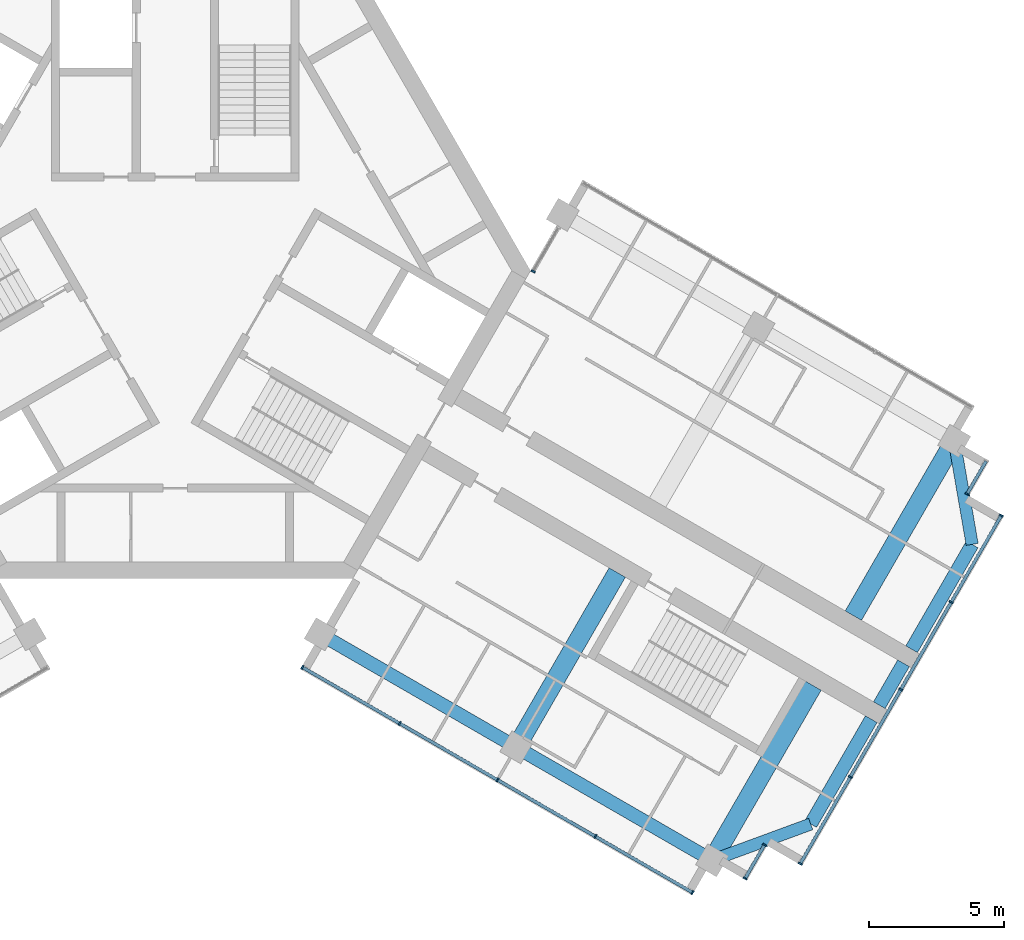
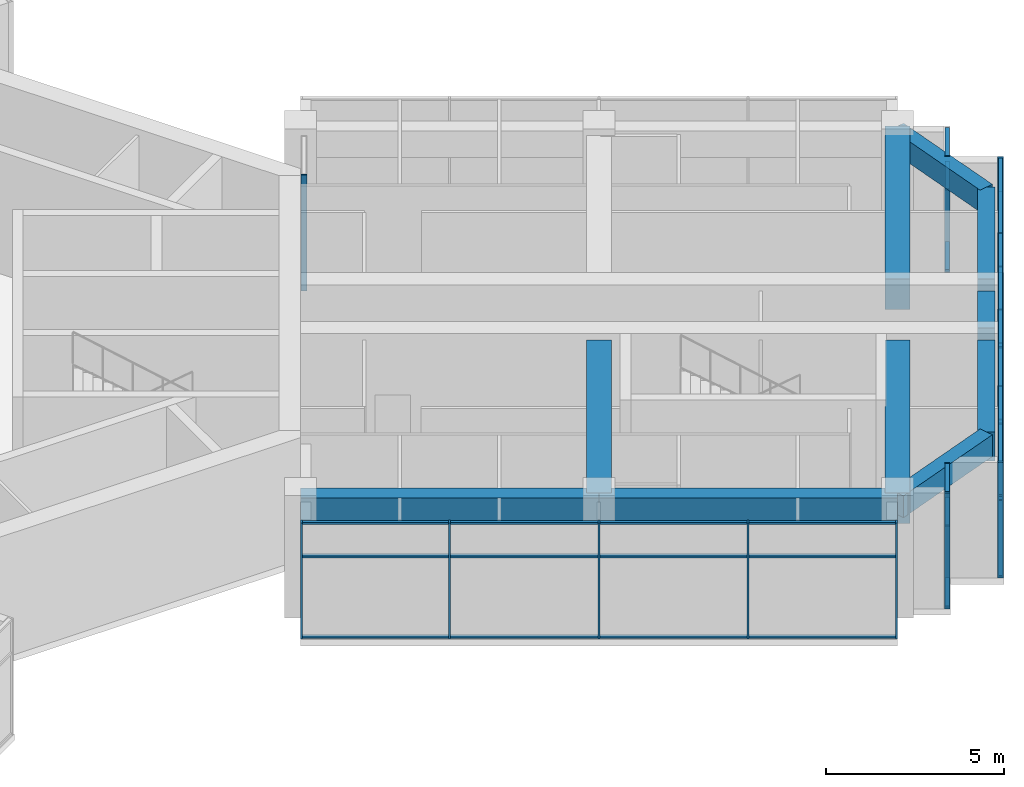
# One storey, part 4 of 14: 44 members, 10 beams, 5 elements without a shape of their own.
"""IFC4 building model written with IfcOpenShell, lengths in metres."""

from ifc_helpers import new_model, si_unit, direction, frame, origin, origin_2d, place, context, subcontext, project, spatial, rectangle, extrude, material, material_profile, profile_set, type_object, element, aggregate, save


model = new_model("IFC4")

# Units and contexts
model_context = context("Model", 3, precision=1e-05, world=origin(), true_north=direction((0.0, 1.0)))
body_context = subcontext(model_context, "Body", "Model", "MODEL_VIEW")
ifc_project = project(units=[si_unit("LENGTHUNIT", "METRE"), si_unit("AREAUNIT", "SQUARE_METRE"), si_unit("VOLUMEUNIT", "CUBIC_METRE"), si_unit("PLANEANGLEUNIT", "RADIAN"), si_unit("MASSUNIT", "GRAM", prefix="KILO")], contexts=[model_context])

# Site, building, storey
site_placement = place(None, origin())
site = spatial("IfcSite", under=ifc_project, at=site_placement, CompositionType="ELEMENT")
building_placement = place(site_placement, origin())
building = spatial("IfcBuilding", under=site, at=building_placement, Name="Impinga Residences", CompositionType="ELEMENT")
storey_placement = place(building_placement, frame((0.0, 0.0, 278.949951171875)))
storey = spatial("IfcBuildingStorey", under=building, at=storey_placement, Name="L70", CompositionType="ELEMENT", Elevation=278.949951171875)

# Beams
ifc_material_1 = material(Name="Concrete C60/75", Category="concrete")
ifc_material_profile_1 = material_profile(ifc_material_1, rectangle(XDim=0.449951171875, YDim=0.75, at=origin_2d()), Name="RC 450x750")
ifc_profile_set_1 = profile_set([ifc_material_profile_1], Name="Concrete C60/75")
beam_type_1 = type_object("IfcBeamType", Name="CB1 450x750 wing end cantilever beam", PredefinedType="BEAM", material=ifc_profile_set_1)
beam_1_placement = place(storey_placement, frame((28.94921875, -6.321533203125, 3.60498046875), z_axis=(0.170296298948, -0.985392901621, 0.0), x_axis=(0.985392901621, 0.170296298948, 0.0)))
element("IfcBeam", 1, at=beam_1_placement, inside=storey, type_object=beam_type_1, Name="Beam CB1 EB E3-EX level L71", PredefinedType="BEAM", context=body_context, shape_type="SweptSolid", body=[
    extrude(rectangle(XDim=0.449951171875, YDim=0.75, at=origin_2d()), origin(), (0.0, 0.0, 1.0), 3.9052734375),
])
beam_2_placement = place(storey_placement, frame((19.94921875, -21.909912109375, 3.60498046875), z_axis=(0.93854043338, 0.345169313396, 0.0), x_axis=(-0.345169313396, 0.93854043338, 0.0)))
element("IfcBeam", 2, at=beam_2_placement, inside=storey, type_object=beam_type_1, Name="Beam CB1 EE E3-EX level L71", PredefinedType="BEAM", context=body_context, shape_type="SweptSolid", body=[
    extrude(rectangle(XDim=0.449951171875, YDim=0.75, at=origin_2d()), origin(), (0.0, 0.0, 1.0), 3.905029296875),
])
ifc_material_profile_2 = material_profile(ifc_material_1, rectangle(XDim=0.699951171875, YDim=1.050048828125, at=origin_2d()), Name="RC 700x1050")
ifc_profile_set_2 = profile_set([ifc_material_profile_2], Name="Concrete C60/75")
beam_type_2 = type_object("IfcBeamType", Name="CG1 700x1050 cross girder on a wing bay line", PredefinedType="BEAM", material=ifc_profile_set_2)
for number, where, z_axis, x_axis, name in (
    (3, (25.19921875, -12.816650390625, 3.455078125), (0.500004234368, 0.866022959057, 0.0), (-0.866022959057, 0.500004234368, 0.0), "Beam CG1 E3 EC/EA level L71"),
    (4, (16.424560546875, -11.21484375, 3.455078125), (-0.500004234368, -0.866022959057, 0.0), (0.866022959057, -0.500004234368, 0.0), "Beam CG1 E2 EC/EF level L71"),
    (5, (23.69921875, -15.414794921875, 3.455078125), (-0.500004234368, -0.866022959057, 0.0), (0.866022959057, -0.500004234368, 0.0), "Beam CG1 E3 EC/EF level L71"),
):
    element("IfcBeam", number, at=place(storey_placement, frame(where, z_axis=z_axis, x_axis=x_axis)), inside=storey, type_object=beam_type_2, Name=name, PredefinedType="BEAM", context=body_context, shape_type="SweptSolid", body=[
        extrude(rectangle(XDim=0.699951171875, YDim=1.050048828125, at=origin_2d()), origin(), (0.0, 0.0, 1.0), 7.5),
    ])

# Curtain wall, member
ifc_material_2 = material(Name="Aluminium stick curtain wall", Category="aluminium")
curtain_wall_type = type_object("IfcCurtainWallType", Name="CW3 penthouse curtain wall", PredefinedType="USERDEFINED", material=ifc_material_2)
curtain_wall_1_placement = place(storey_placement, origin())
curtain_wall_1 = element("IfcCurtainWall", 6, at=curtain_wall_1_placement, inside=storey, type_object=curtain_wall_type, Name="Curtain wall CW3 L70", ObjectType="STICK CURTAIN WALL", PredefinedType="USERDEFINED")
ifc_material_3 = material(Name="Aluminium mullion", Category="aluminium")
ifc_material_profile_3 = material_profile(ifc_material_3, rectangle(XDim=0.06005859375, YDim=0.159912109375, at=origin_2d()), Name="60x160 mullion")
ifc_profile_set_3 = profile_set([ifc_material_profile_3], Name="Aluminium mullion")
member_type_1 = type_object("IfcMemberType", Name="CW3-M mullion 60x160", PredefinedType="MULLION", material=ifc_profile_set_3)
member_1_placement = place(storey_placement, frame((13.301513671875, -0.02392578125, 0.0), z_axis=(0.0, 0.0, 1.0), x_axis=(0.50000010257, 0.866025344565, 0.0)))
member_1 = element("IfcMember", 7, at=member_1_placement, type_object=member_type_1, Name="CW3 mullion 1", PredefinedType="MULLION", context=body_context, shape_type="SweptSolid", body=[
    extrude(rectangle(XDim=0.06005859375, YDim=0.159912109375, at=origin_2d()), origin(), (0.0, 0.0, 1.0), 3.97998046875),
])
aggregate(curtain_wall_1, [member_1])

curtain_wall_2_placement = place(storey_placement, origin())
curtain_wall_2 = element("IfcCurtainWall", 8, at=curtain_wall_2_placement, inside=storey, type_object=curtain_wall_type, Name="Curtain wall CW3 L70", ObjectType="STICK CURTAIN WALL", PredefinedType="USERDEFINED")
member_2_placement = place(storey_placement, frame((29.4267578125, -8.294677734375, 0.0), z_axis=(0.0, 0.0, 1.0), x_axis=(-0.500000030502, -0.866025386174, 0.0)))
member_2 = element("IfcMember", 9, at=member_2_placement, type_object=member_type_1, Name="CW3 mullion 2", PredefinedType="MULLION", context=body_context, shape_type="SweptSolid", body=[
    extrude(rectangle(XDim=0.06005859375, YDim=0.159912109375, at=origin_2d()), origin(), (0.0, 0.0, 1.0), 3.97998046875),
])

# Curtain wall, members
curtain_wall_3_placement = place(storey_placement, origin())
curtain_wall_3 = element("IfcCurtainWall", 10, at=curtain_wall_3_placement, inside=storey, type_object=curtain_wall_type, Name="Curtain wall CW3 L70", ObjectType="STICK CURTAIN WALL", PredefinedType="USERDEFINED")
member_3_placement = place(storey_placement, frame((30.69580078125, -9.0966796875, 0.0), z_axis=(0.0, 0.0, 1.0), x_axis=(-0.500000001632, -0.866025402842, 0.0)))
member_3 = element("IfcMember", 11, at=member_3_placement, type_object=member_type_1, Name="CW3 mullion 1", PredefinedType="MULLION", context=body_context, shape_type="SweptSolid", body=[
    extrude(rectangle(XDim=0.06005859375, YDim=0.159912109375, at=origin_2d()), origin(), (0.0, 0.0, 1.0), 3.97998046875),
])
member_4_placement = place(storey_placement, frame((28.835693359375, -12.318115234375, 0.0), z_axis=(0.0, 0.0, 1.0), x_axis=(-0.500000001632, -0.866025402842, 0.0)))
member_4 = element("IfcMember", 12, at=member_4_placement, type_object=member_type_1, Name="CW3 mullion 2", PredefinedType="MULLION", context=body_context, shape_type="SweptSolid", body=[
    extrude(rectangle(XDim=0.06005859375, YDim=0.159912109375, at=origin_2d()), origin(), (0.0, 0.0, 1.0), 3.97998046875),
])
member_5_placement = place(storey_placement, frame((26.960693359375, -15.565673828125, 0.0), z_axis=(0.0, 0.0, 1.0), x_axis=(-0.500000001632, -0.866025402842, 0.0)))
member_5 = element("IfcMember", 13, at=member_5_placement, type_object=member_type_1, Name="CW3 mullion 3", PredefinedType="MULLION", context=body_context, shape_type="SweptSolid", body=[
    extrude(rectangle(XDim=0.06005859375, YDim=0.159912109375, at=origin_2d()), origin(), (0.0, 0.0, 1.0), 3.97998046875),
])
member_6_placement = place(storey_placement, frame((25.085693359375, -18.8134765625, 0.0), z_axis=(0.0, 0.0, 1.0), x_axis=(-0.500000001632, -0.866025402842, 0.0)))
member_6 = element("IfcMember", 14, at=member_6_placement, type_object=member_type_1, Name="CW3 mullion 4", PredefinedType="MULLION", context=body_context, shape_type="SweptSolid", body=[
    extrude(rectangle(XDim=0.06005859375, YDim=0.159912109375, at=origin_2d()), origin(), (0.0, 0.0, 1.0), 3.97998046875),
])
member_7_placement = place(storey_placement, frame((23.2255859375, -22.034912109375, 0.0), z_axis=(0.0, 0.0, 1.0), x_axis=(-0.500000001632, -0.866025402842, 0.0)))
member_7 = element("IfcMember", 15, at=member_7_placement, type_object=member_type_1, Name="CW3 mullion 5", PredefinedType="MULLION", context=body_context, shape_type="SweptSolid", body=[
    extrude(rectangle(XDim=0.06005859375, YDim=0.159912109375, at=origin_2d()), origin(), (0.0, 0.0, 1.0), 3.97998046875),
])

curtain_wall_4_placement = place(storey_placement, origin())
curtain_wall_4 = element("IfcCurtainWall", 16, at=curtain_wall_4_placement, inside=storey, type_object=curtain_wall_type, Name="Curtain wall CW3 L70", ObjectType="STICK CURTAIN WALL", PredefinedType="USERDEFINED")
member_8_placement = place(storey_placement, frame((21.896728515625, -21.3369140625, 0.0), z_axis=(0.0, 0.0, 1.0), x_axis=(-0.500000030502, -0.866025386174, 0.0)))
member_8 = element("IfcMember", 17, at=member_8_placement, type_object=member_type_1, Name="CW3 mullion 1", PredefinedType="MULLION", context=body_context, shape_type="SweptSolid", body=[
    extrude(rectangle(XDim=0.06005859375, YDim=0.159912109375, at=origin_2d()), origin(), (0.0, 0.0, 1.0), 3.97998046875),
])
member_9_placement = place(storey_placement, frame((21.1767578125, -22.583984375, 0.0), z_axis=(0.0, 0.0, 1.0), x_axis=(-0.500000030502, -0.866025386174, 0.0)))
member_9 = element("IfcMember", 18, at=member_9_placement, type_object=member_type_1, Name="CW3 mullion 2", PredefinedType="MULLION", context=body_context, shape_type="SweptSolid", body=[
    extrude(rectangle(XDim=0.06005859375, YDim=0.159912109375, at=origin_2d()), origin(), (0.0, 0.0, 1.0), 3.97998046875),
])

curtain_wall_5_placement = place(storey_placement, origin())
curtain_wall_5 = element("IfcCurtainWall", 19, at=curtain_wall_5_placement, inside=storey, type_object=curtain_wall_type, Name="Curtain wall CW3 L70", ObjectType="STICK CURTAIN WALL", PredefinedType="USERDEFINED")
member_10_placement = place(storey_placement, frame((19.22314453125, -23.107421875, 0.0), z_axis=(0.0, 0.0, 1.0), x_axis=(-0.866025407005, 0.499999994423, 0.0)))
member_10 = element("IfcMember", 20, at=member_10_placement, type_object=member_type_1, Name="CW3 mullion 1", PredefinedType="MULLION", context=body_context, shape_type="SweptSolid", body=[
    extrude(rectangle(XDim=0.06005859375, YDim=0.159912109375, at=origin_2d()), origin(), (0.0, 0.0, 1.0), 3.97998046875),
])
member_11_placement = place(storey_placement, frame((15.61181640625, -21.0224609375, 0.0), z_axis=(0.0, 0.0, 1.0), x_axis=(-0.866025407005, 0.499999994423, 0.0)))
member_11 = element("IfcMember", 21, at=member_11_placement, type_object=member_type_1, Name="CW3 mullion 2", PredefinedType="MULLION", context=body_context, shape_type="SweptSolid", body=[
    extrude(rectangle(XDim=0.06005859375, YDim=0.159912109375, at=origin_2d()), origin(), (0.0, 0.0, 1.0), 3.97998046875),
])
member_12_placement = place(storey_placement, frame((11.974609375, -18.92236328125, 0.0), z_axis=(0.0, 0.0, 1.0), x_axis=(-0.866025407005, 0.499999994423, 0.0)))
member_12 = element("IfcMember", 22, at=member_12_placement, type_object=member_type_1, Name="CW3 mullion 3", PredefinedType="MULLION", context=body_context, shape_type="SweptSolid", body=[
    extrude(rectangle(XDim=0.06005859375, YDim=0.159912109375, at=origin_2d()), origin(), (0.0, 0.0, 1.0), 3.97998046875),
])
member_13_placement = place(storey_placement, frame((8.33740234375, -16.822509765625, 0.0), z_axis=(0.0, 0.0, 1.0), x_axis=(-0.866025407005, 0.499999994423, 0.0)))
member_13 = element("IfcMember", 23, at=member_13_placement, type_object=member_type_1, Name="CW3 mullion 4", PredefinedType="MULLION", context=body_context, shape_type="SweptSolid", body=[
    extrude(rectangle(XDim=0.06005859375, YDim=0.159912109375, at=origin_2d()), origin(), (0.0, 0.0, 1.0), 3.97998046875),
])
member_14_placement = place(storey_placement, frame((4.72607421875, -14.737548828125, 0.0), z_axis=(0.0, 0.0, 1.0), x_axis=(-0.866025407005, 0.499999994423, 0.0)))
member_14 = element("IfcMember", 24, at=member_14_placement, type_object=member_type_1, Name="CW3 mullion 5", PredefinedType="MULLION", context=body_context, shape_type="SweptSolid", body=[
    extrude(rectangle(XDim=0.06005859375, YDim=0.159912109375, at=origin_2d()), origin(), (0.0, 0.0, 1.0), 3.97998046875),
])

# Member
ifc_material_4 = material(Name="Aluminium transom", Category="aluminium")
ifc_material_profile_4 = material_profile(ifc_material_4, rectangle(XDim=0.06005859375, YDim=0.1201171875, at=origin_2d()), Name="60x120 transom")
ifc_profile_set_4 = profile_set([ifc_material_profile_4], Name="Aluminium transom")
member_type_2 = type_object("IfcMemberType", Name="CW3-T transom 60x120", PredefinedType="USERDEFINED", material=ifc_profile_set_4)
member_15_placement = place(storey_placement, frame((30.131591796875, -7.073486328125, 0.030029296875), z_axis=(-0.499982807329, -0.86603532975, 0.0), x_axis=(0.0, 0.0, 1.0)))
member_15 = element("IfcMember", 25, at=member_15_placement, type_object=member_type_2, Name="CW3 transom 1.1", ObjectType="TRANSOM", PredefinedType="USERDEFINED", context=body_context, shape_type="SweptSolid", body=[
    extrude(rectangle(XDim=0.06005859375, YDim=0.1201171875, at=origin_2d()), origin(), (0.0, 0.0, 1.0), 1.3798828125),
])

member_16_placement = place(storey_placement, frame((30.131591796875, -7.073486328125, 2.800048828125), z_axis=(-0.499982807329, -0.86603532975, 0.0), x_axis=(0.0, 0.0, 1.0)))
member_16 = element("IfcMember", 26, at=member_16_placement, type_object=member_type_2, Name="CW3 transom 1.2", ObjectType="TRANSOM", PredefinedType="USERDEFINED", context=body_context, shape_type="SweptSolid", body=[
    extrude(rectangle(XDim=0.06005859375, YDim=0.1201171875, at=origin_2d()), origin(), (0.0, 0.0, 1.0), 1.3798828125),
])

member_17_placement = place(storey_placement, frame((30.131591796875, -7.073486328125, 3.949951171875), z_axis=(-0.499982807329, -0.86603532975, 0.0), x_axis=(0.0, 0.0, 1.0)))
member_17 = element("IfcMember", 27, at=member_17_placement, type_object=member_type_2, Name="CW3 transom 1.3", ObjectType="TRANSOM", PredefinedType="USERDEFINED", context=body_context, shape_type="SweptSolid", body=[
    extrude(rectangle(XDim=0.06005859375, YDim=0.1201171875, at=origin_2d()), origin(), (0.0, 0.0, 1.0), 1.3798828125),
])

aggregate(curtain_wall_2, [member_2, member_15, member_16, member_17])

member_18_placement = place(storey_placement, frame((30.6806640625, -9.12255859375, 0.030029296875), z_axis=(-0.500013080017, -0.866017851902, 0.0), x_axis=(0.0, 0.0, 1.0)))
member_18 = element("IfcMember", 28, at=member_18_placement, type_object=member_type_2, Name="CW3 transom 1.1", ObjectType="TRANSOM", PredefinedType="USERDEFINED", context=body_context, shape_type="SweptSolid", body=[
    extrude(rectangle(XDim=0.06005859375, YDim=0.1201171875, at=origin_2d()), origin(), (0.0, 0.0, 1.0), 3.66015625),
])

member_19_placement = place(storey_placement, frame((30.6806640625, -9.12255859375, 2.800048828125), z_axis=(-0.500013080017, -0.866017851902, 0.0), x_axis=(0.0, 0.0, 1.0)))
member_19 = element("IfcMember", 29, at=member_19_placement, type_object=member_type_2, Name="CW3 transom 1.2", ObjectType="TRANSOM", PredefinedType="USERDEFINED", context=body_context, shape_type="SweptSolid", body=[
    extrude(rectangle(XDim=0.06005859375, YDim=0.1201171875, at=origin_2d()), origin(), (0.0, 0.0, 1.0), 3.66015625),
])

member_20_placement = place(storey_placement, frame((30.6806640625, -9.12255859375, 3.949951171875), z_axis=(-0.500013080017, -0.866017851902, 0.0), x_axis=(0.0, 0.0, 1.0)))
member_20 = element("IfcMember", 30, at=member_20_placement, type_object=member_type_2, Name="CW3 transom 1.3", ObjectType="TRANSOM", PredefinedType="USERDEFINED", context=body_context, shape_type="SweptSolid", body=[
    extrude(rectangle(XDim=0.06005859375, YDim=0.1201171875, at=origin_2d()), origin(), (0.0, 0.0, 1.0), 3.66015625),
])

member_21_placement = place(storey_placement, frame((28.82080078125, -12.34423828125, 0.030029296875), z_axis=(-0.500052713345, -0.865994967581, 0.0), x_axis=(0.0, 0.0, 1.0)))
member_21 = element("IfcMember", 31, at=member_21_placement, type_object=member_type_2, Name="CW3 transom 2.1", ObjectType="TRANSOM", PredefinedType="USERDEFINED", context=body_context, shape_type="SweptSolid", body=[
    extrude(rectangle(XDim=0.06005859375, YDim=0.1201171875, at=origin_2d()), origin(), (0.0, 0.0, 1.0), 3.68994140625),
])

member_22_placement = place(storey_placement, frame((28.82080078125, -12.34423828125, 2.800048828125), z_axis=(-0.500052713345, -0.865994967581, 0.0), x_axis=(0.0, 0.0, 1.0)))
member_22 = element("IfcMember", 32, at=member_22_placement, type_object=member_type_2, Name="CW3 transom 2.2", ObjectType="TRANSOM", PredefinedType="USERDEFINED", context=body_context, shape_type="SweptSolid", body=[
    extrude(rectangle(XDim=0.06005859375, YDim=0.1201171875, at=origin_2d()), origin(), (0.0, 0.0, 1.0), 3.68994140625),
])

member_23_placement = place(storey_placement, frame((28.82080078125, -12.34423828125, 3.949951171875), z_axis=(-0.500052713345, -0.865994967581, 0.0), x_axis=(0.0, 0.0, 1.0)))
member_23 = element("IfcMember", 33, at=member_23_placement, type_object=member_type_2, Name="CW3 transom 2.3", ObjectType="TRANSOM", PredefinedType="USERDEFINED", context=body_context, shape_type="SweptSolid", body=[
    extrude(rectangle(XDim=0.06005859375, YDim=0.1201171875, at=origin_2d()), origin(), (0.0, 0.0, 1.0), 3.68994140625),
])

member_24_placement = place(storey_placement, frame((26.94580078125, -15.591796875, 0.030029296875), z_axis=(-0.500052713345, -0.865994967581, 0.0), x_axis=(0.0, 0.0, 1.0)))
member_24 = element("IfcMember", 34, at=member_24_placement, type_object=member_type_2, Name="CW3 transom 3.1", ObjectType="TRANSOM", PredefinedType="USERDEFINED", context=body_context, shape_type="SweptSolid", body=[
    extrude(rectangle(XDim=0.06005859375, YDim=0.1201171875, at=origin_2d()), origin(), (0.0, 0.0, 1.0), 3.68994140625),
])

member_25_placement = place(storey_placement, frame((26.94580078125, -15.591796875, 2.800048828125), z_axis=(-0.500052713345, -0.865994967581, 0.0), x_axis=(0.0, 0.0, 1.0)))
member_25 = element("IfcMember", 35, at=member_25_placement, type_object=member_type_2, Name="CW3 transom 3.2", ObjectType="TRANSOM", PredefinedType="USERDEFINED", context=body_context, shape_type="SweptSolid", body=[
    extrude(rectangle(XDim=0.06005859375, YDim=0.1201171875, at=origin_2d()), origin(), (0.0, 0.0, 1.0), 3.68994140625),
])

member_26_placement = place(storey_placement, frame((26.94580078125, -15.591796875, 3.949951171875), z_axis=(-0.500052713345, -0.865994967581, 0.0), x_axis=(0.0, 0.0, 1.0)))
member_26 = element("IfcMember", 36, at=member_26_placement, type_object=member_type_2, Name="CW3 transom 3.3", ObjectType="TRANSOM", PredefinedType="USERDEFINED", context=body_context, shape_type="SweptSolid", body=[
    extrude(rectangle(XDim=0.06005859375, YDim=0.1201171875, at=origin_2d()), origin(), (0.0, 0.0, 1.0), 3.68994140625),
])

member_27_placement = place(storey_placement, frame((25.07080078125, -18.83935546875, 0.030029296875), z_axis=(-0.500013080017, -0.866017851902, 0.0), x_axis=(0.0, 0.0, 1.0)))
member_27 = element("IfcMember", 37, at=member_27_placement, type_object=member_type_2, Name="CW3 transom 4.1", ObjectType="TRANSOM", PredefinedType="USERDEFINED", context=body_context, shape_type="SweptSolid", body=[
    extrude(rectangle(XDim=0.06005859375, YDim=0.1201171875, at=origin_2d()), origin(), (0.0, 0.0, 1.0), 3.66015625),
])

member_28_placement = place(storey_placement, frame((25.07080078125, -18.83935546875, 2.800048828125), z_axis=(-0.500013080017, -0.866017851902, 0.0), x_axis=(0.0, 0.0, 1.0)))
member_28 = element("IfcMember", 38, at=member_28_placement, type_object=member_type_2, Name="CW3 transom 4.2", ObjectType="TRANSOM", PredefinedType="USERDEFINED", context=body_context, shape_type="SweptSolid", body=[
    extrude(rectangle(XDim=0.06005859375, YDim=0.1201171875, at=origin_2d()), origin(), (0.0, 0.0, 1.0), 3.66015625),
])

member_29_placement = place(storey_placement, frame((25.07080078125, -18.83935546875, 3.949951171875), z_axis=(-0.500013080017, -0.866017851902, 0.0), x_axis=(0.0, 0.0, 1.0)))
member_29 = element("IfcMember", 39, at=member_29_placement, type_object=member_type_2, Name="CW3 transom 4.3", ObjectType="TRANSOM", PredefinedType="USERDEFINED", context=body_context, shape_type="SweptSolid", body=[
    extrude(rectangle(XDim=0.06005859375, YDim=0.1201171875, at=origin_2d()), origin(), (0.0, 0.0, 1.0), 3.66015625),
])

aggregate(curtain_wall_3, [member_3, member_4, member_5, member_6, member_7, member_18, member_19, member_20, member_21, member_22, member_23, member_24, member_25, member_26, member_27, member_28, member_29])

member_30_placement = place(storey_placement, frame((21.881591796875, -21.363037109375, 0.030029296875), z_axis=(-0.499982807329, -0.86603532975, 0.0), x_axis=(0.0, 0.0, 1.0)))
member_30 = element("IfcMember", 40, at=member_30_placement, type_object=member_type_2, Name="CW3 transom 1.1", ObjectType="TRANSOM", PredefinedType="USERDEFINED", context=body_context, shape_type="SweptSolid", body=[
    extrude(rectangle(XDim=0.06005859375, YDim=0.1201171875, at=origin_2d()), origin(), (0.0, 0.0, 1.0), 1.3798828125),
])

member_31_placement = place(storey_placement, frame((21.881591796875, -21.363037109375, 2.800048828125), z_axis=(-0.499982807329, -0.86603532975, 0.0), x_axis=(0.0, 0.0, 1.0)))
member_31 = element("IfcMember", 41, at=member_31_placement, type_object=member_type_2, Name="CW3 transom 1.2", ObjectType="TRANSOM", PredefinedType="USERDEFINED", context=body_context, shape_type="SweptSolid", body=[
    extrude(rectangle(XDim=0.06005859375, YDim=0.1201171875, at=origin_2d()), origin(), (0.0, 0.0, 1.0), 1.3798828125),
])

member_32_placement = place(storey_placement, frame((21.881591796875, -21.363037109375, 3.949951171875), z_axis=(-0.499982807329, -0.86603532975, 0.0), x_axis=(0.0, 0.0, 1.0)))
member_32 = element("IfcMember", 42, at=member_32_placement, type_object=member_type_2, Name="CW3 transom 1.3", ObjectType="TRANSOM", PredefinedType="USERDEFINED", context=body_context, shape_type="SweptSolid", body=[
    extrude(rectangle(XDim=0.06005859375, YDim=0.1201171875, at=origin_2d()), origin(), (0.0, 0.0, 1.0), 1.3798828125),
])

aggregate(curtain_wall_4, [member_8, member_9, member_30, member_31, member_32])

member_33_placement = place(storey_placement, frame((19.197265625, -23.092529296875, 0.030029296875), z_axis=(-0.866004557827, 0.500036104519, 0.0), x_axis=(0.0, 0.0, 1.0)))
member_33 = element("IfcMember", 43, at=member_33_placement, type_object=member_type_2, Name="CW3 transom 1.1", ObjectType="TRANSOM", PredefinedType="USERDEFINED", context=body_context, shape_type="SweptSolid", body=[
    extrude(rectangle(XDim=0.06005859375, YDim=0.1201171875, at=origin_2d()), origin(), (0.0, 0.0, 1.0), 4.110107421875),
])

member_34_placement = place(storey_placement, frame((19.197265625, -23.092529296875, 2.800048828125), z_axis=(-0.866004557827, 0.500036104519, 0.0), x_axis=(0.0, 0.0, 1.0)))
member_34 = element("IfcMember", 44, at=member_34_placement, type_object=member_type_2, Name="CW3 transom 1.2", ObjectType="TRANSOM", PredefinedType="USERDEFINED", context=body_context, shape_type="SweptSolid", body=[
    extrude(rectangle(XDim=0.06005859375, YDim=0.1201171875, at=origin_2d()), origin(), (0.0, 0.0, 1.0), 4.110107421875),
])

member_35_placement = place(storey_placement, frame((19.197265625, -23.092529296875, 3.949951171875), z_axis=(-0.866004557827, 0.500036104519, 0.0), x_axis=(0.0, 0.0, 1.0)))
member_35 = element("IfcMember", 45, at=member_35_placement, type_object=member_type_2, Name="CW3 transom 1.3", ObjectType="TRANSOM", PredefinedType="USERDEFINED", context=body_context, shape_type="SweptSolid", body=[
    extrude(rectangle(XDim=0.06005859375, YDim=0.1201171875, at=origin_2d()), origin(), (0.0, 0.0, 1.0), 4.110107421875),
])

member_36_placement = place(storey_placement, frame((15.5859375, -21.00732421875, 0.030029296875), z_axis=(-0.866050071143, 0.499957272447, 0.0), x_axis=(0.0, 0.0, 1.0)))
member_36 = element("IfcMember", 46, at=member_36_placement, type_object=member_type_2, Name="CW3 transom 2.1", ObjectType="TRANSOM", PredefinedType="USERDEFINED", context=body_context, shape_type="SweptSolid", body=[
    extrude(rectangle(XDim=0.06005859375, YDim=0.1201171875, at=origin_2d()), origin(), (0.0, 0.0, 1.0), 4.139892578125),
])

member_37_placement = place(storey_placement, frame((15.5859375, -21.00732421875, 2.800048828125), z_axis=(-0.866050071143, 0.499957272447, 0.0), x_axis=(0.0, 0.0, 1.0)))
member_37 = element("IfcMember", 47, at=member_37_placement, type_object=member_type_2, Name="CW3 transom 2.2", ObjectType="TRANSOM", PredefinedType="USERDEFINED", context=body_context, shape_type="SweptSolid", body=[
    extrude(rectangle(XDim=0.06005859375, YDim=0.1201171875, at=origin_2d()), origin(), (0.0, 0.0, 1.0), 4.139892578125),
])

member_38_placement = place(storey_placement, frame((15.5859375, -21.00732421875, 3.949951171875), z_axis=(-0.866050071143, 0.499957272447, 0.0), x_axis=(0.0, 0.0, 1.0)))
member_38 = element("IfcMember", 48, at=member_38_placement, type_object=member_type_2, Name="CW3 transom 2.3", ObjectType="TRANSOM", PredefinedType="USERDEFINED", context=body_context, shape_type="SweptSolid", body=[
    extrude(rectangle(XDim=0.06005859375, YDim=0.1201171875, at=origin_2d()), origin(), (0.0, 0.0, 1.0), 4.139892578125),
])

member_39_placement = place(storey_placement, frame((11.94873046875, -18.907470703125, 0.030029296875), z_axis=(-0.866024536972, 0.500001501361, 0.0), x_axis=(0.0, 0.0, 1.0)))
member_39 = element("IfcMember", 49, at=member_39_placement, type_object=member_type_2, Name="CW3 transom 3.1", ObjectType="TRANSOM", PredefinedType="USERDEFINED", context=body_context, shape_type="SweptSolid", body=[
    extrude(rectangle(XDim=0.06005859375, YDim=0.1201171875, at=origin_2d()), origin(), (0.0, 0.0, 1.0), 4.14013671875),
])

member_40_placement = place(storey_placement, frame((11.94873046875, -18.907470703125, 2.800048828125), z_axis=(-0.866024536972, 0.500001501361, 0.0), x_axis=(0.0, 0.0, 1.0)))
member_40 = element("IfcMember", 50, at=member_40_placement, type_object=member_type_2, Name="CW3 transom 3.2", ObjectType="TRANSOM", PredefinedType="USERDEFINED", context=body_context, shape_type="SweptSolid", body=[
    extrude(rectangle(XDim=0.06005859375, YDim=0.1201171875, at=origin_2d()), origin(), (0.0, 0.0, 1.0), 4.14013671875),
])

member_41_placement = place(storey_placement, frame((11.94873046875, -18.907470703125, 3.949951171875), z_axis=(-0.866024536972, 0.500001501361, 0.0), x_axis=(0.0, 0.0, 1.0)))
member_41 = element("IfcMember", 51, at=member_41_placement, type_object=member_type_2, Name="CW3 transom 3.3", ObjectType="TRANSOM", PredefinedType="USERDEFINED", context=body_context, shape_type="SweptSolid", body=[
    extrude(rectangle(XDim=0.06005859375, YDim=0.1201171875, at=origin_2d()), origin(), (0.0, 0.0, 1.0), 4.14013671875),
])

member_42_placement = place(storey_placement, frame((8.311279296875, -16.807373046875, 0.030029296875), z_axis=(-0.866030279993, 0.499991554064, 0.0), x_axis=(0.0, 0.0, 1.0)))
member_42 = element("IfcMember", 52, at=member_42_placement, type_object=member_type_2, Name="CW3 transom 4.1", ObjectType="TRANSOM", PredefinedType="USERDEFINED", context=body_context, shape_type="SweptSolid", body=[
    extrude(rectangle(XDim=0.06005859375, YDim=0.1201171875, at=origin_2d()), origin(), (0.0, 0.0, 1.0), 4.10986328125),
])

member_43_placement = place(storey_placement, frame((8.311279296875, -16.807373046875, 2.800048828125), z_axis=(-0.866030279993, 0.499991554064, 0.0), x_axis=(0.0, 0.0, 1.0)))
member_43 = element("IfcMember", 53, at=member_43_placement, type_object=member_type_2, Name="CW3 transom 4.2", ObjectType="TRANSOM", PredefinedType="USERDEFINED", context=body_context, shape_type="SweptSolid", body=[
    extrude(rectangle(XDim=0.06005859375, YDim=0.1201171875, at=origin_2d()), origin(), (0.0, 0.0, 1.0), 4.10986328125),
])

member_44_placement = place(storey_placement, frame((8.311279296875, -16.807373046875, 3.949951171875), z_axis=(-0.866030279993, 0.499991554064, 0.0), x_axis=(0.0, 0.0, 1.0)))
member_44 = element("IfcMember", 54, at=member_44_placement, type_object=member_type_2, Name="CW3 transom 4.3", ObjectType="TRANSOM", PredefinedType="USERDEFINED", context=body_context, shape_type="SweptSolid", body=[
    extrude(rectangle(XDim=0.06005859375, YDim=0.1201171875, at=origin_2d()), origin(), (0.0, 0.0, 1.0), 4.10986328125),
])

aggregate(curtain_wall_5, [member_10, member_11, member_12, member_13, member_14, member_33, member_34, member_35, member_36, member_37, member_38, member_39, member_40, member_41, member_42, member_43, member_44])

# Beams
ifc_material_profile_5 = material_profile(ifc_material_1, rectangle(XDim=0.5, YDim=1.0, at=origin_2d()), Name="RC 500x1000")
ifc_profile_set_5 = profile_set([ifc_material_profile_5], Name="Concrete C60/75")
beam_type_3 = type_object("IfcBeamType", Name="EB1 500x1000 wing end beam", PredefinedType="BEAM", material=ifc_profile_set_5)
beam_3_placement = place(storey_placement, frame((29.6142578125, -10.169677734375, 3.47998046875), z_axis=(-0.500013631625, -0.866017533419, 0.0), x_axis=(0.866017533419, -0.500013631625, 0.0)))
element("IfcBeam", 55, at=beam_3_placement, inside=storey, type_object=beam_type_3, Name="Beam EB1 EX2 level L71", PredefinedType="BEAM", context=body_context, shape_type="SweptSolid", body=[
    extrude(rectangle(XDim=0.5, YDim=1.0, at=origin_2d()), origin(), (0.0, 0.0, 1.0), 4.499755859375),
])
beam_4_placement = place(storey_placement, frame((27.064208984375, -14.58642578125, 3.47998046875), z_axis=(-0.499961193289, -0.866047807691, 0.0), x_axis=(0.866047807691, -0.499961193289, 0.0)))
element("IfcBeam", 56, at=beam_4_placement, inside=storey, type_object=beam_type_3, Name="Beam EB1 EX2 level L71", PredefinedType="BEAM", context=body_context, shape_type="SweptSolid", body=[
    extrude(rectangle(XDim=0.5, YDim=1.0, at=origin_2d()), origin(), (0.0, 0.0, 1.0), 1.800048828125),
])
beam_5_placement = place(storey_placement, frame((25.8642578125, -16.664794921875, 3.47998046875), z_axis=(-0.499990139034, -0.866031096941, 0.0), x_axis=(0.866031096941, -0.499990139034, 0.0)))
element("IfcBeam", 57, at=beam_5_placement, inside=storey, type_object=beam_type_3, Name="Beam EB1 EX2 level L71", PredefinedType="BEAM", context=body_context, shape_type="SweptSolid", body=[
    extrude(rectangle(XDim=0.5, YDim=1.0, at=origin_2d()), origin(), (0.0, 0.0, 1.0), 4.5),
])
ifc_material_profile_6 = material_profile(ifc_material_1, rectangle(XDim=0.5, YDim=0.89990234375, at=origin_2d()), Name="RC 500x900")
ifc_profile_set_6 = profile_set([ifc_material_profile_6], Name="Concrete C60/75")
beam_type_4 = type_object("IfcBeamType", Name="SB1 500x900 perimeter spandrel beam", PredefinedType="SPANDREL", material=ifc_profile_set_6)
for number, where, z_axis, x_axis, name in (
    (58, (5.39990234375, -13.510009765625, 3.530029296875), (0.86602925447, -0.499993330357, 0.0), (0.499993330357, 0.86602925447, 0.0), "Beam SB1 EF E1-E2 level L71"),
    (59, (12.674560546875, -17.7099609375, 3.530029296875), (0.86602925447, -0.499993330357, 0.0), (0.499993330357, 0.86602925447, 0.0), "Beam SB1 EF E2-E3 level L71"),
):
    element("IfcBeam", number, at=place(storey_placement, frame(where, z_axis=z_axis, x_axis=x_axis)), inside=storey, type_object=beam_type_4, Name=name, PredefinedType="SPANDREL", context=body_context, shape_type="SweptSolid", body=[
        extrude(rectangle(XDim=0.5, YDim=0.89990234375, at=origin_2d()), origin(), (0.0, 0.0, 1.0), 8.39990234375),
    ])

save(model, "model.ifc")
